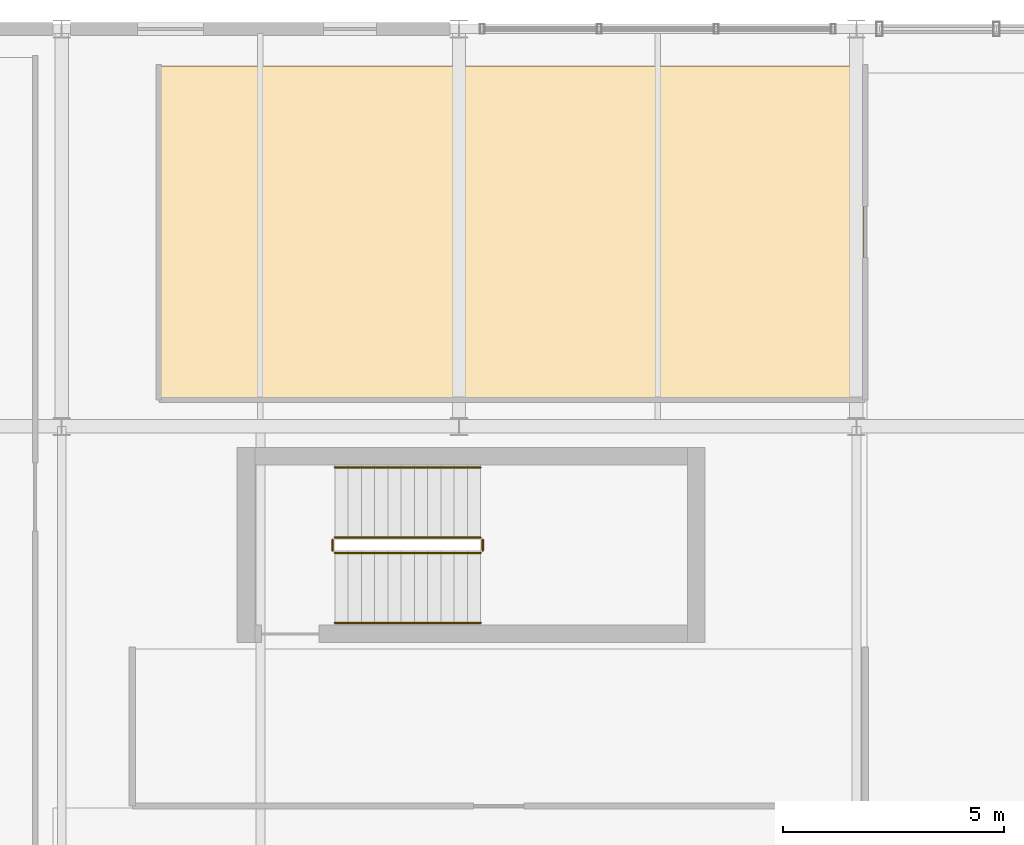
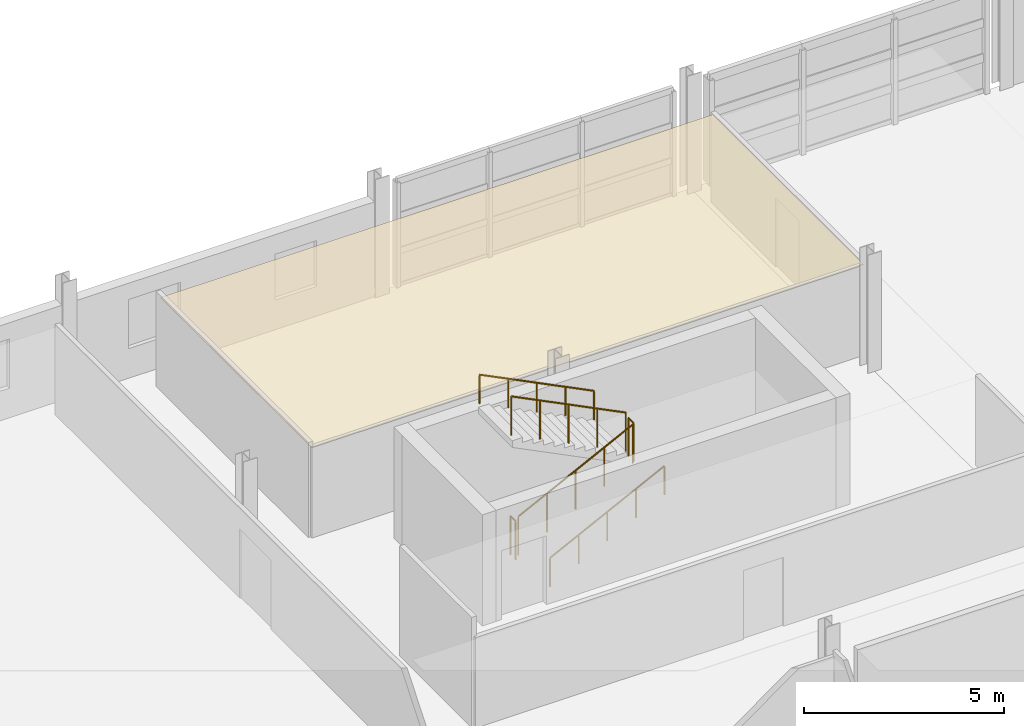
# One storey, part 114 of 116: 6 railings, 1 covering.
"""IFC4 building model written with IfcOpenShell, lengths in metres."""

from ifc_helpers import new_model, si_unit, direction, frame, origin, origin_2d, place, context, subcontext, project, spatial, polyline, circle, outline, extrude, material, layer, layer_set, type_object, element, save


model = new_model("IFC4")

# Units and contexts
model_context = context("Model", 3, precision=1e-05, world=origin(), true_north=direction((0.0, 1.0)))
body_context = subcontext(model_context, "Body", "Model", "MODEL_VIEW")
ifc_project = project(units=[si_unit("LENGTHUNIT", "METRE"), si_unit("AREAUNIT", "SQUARE_METRE"), si_unit("VOLUMEUNIT", "CUBIC_METRE"), si_unit("PLANEANGLEUNIT", "RADIAN"), si_unit("MASSUNIT", "GRAM", prefix="KILO")], contexts=[model_context])

# Site, building, storey
site_placement = place(None, origin())
site = spatial("IfcSite", under=ifc_project, at=site_placement, CompositionType="ELEMENT")
building_placement = place(site_placement, origin())
building = spatial("IfcBuilding", under=site, at=building_placement, Name="Chuanluo Vaults Station", CompositionType="ELEMENT")
storey_placement = place(building_placement, frame((0.0, 0.0, 10.800048828125)))
storey = spatial("IfcBuildingStorey", under=building, at=storey_placement, Name="L02", CompositionType="ELEMENT", Elevation=10.800048828125)

# Covering
ifc_material_1 = material(Name="Acoustic mineral-fibre tile")
ifc_layer = layer(ifc_material_1, 0.02490234375)
ifc_layer_set = layer_set([ifc_layer], Name="Acoustic mineral-fibre tile")
covering_type = type_object("IfcCoveringType", Name="COV-CEIL-TILE", PredefinedType="CEILING", material=ifc_layer_set)
covering_placement = place(storey_placement, frame((0.0, 0.0, 2.675048828125)))
element("IfcCovering", 1, at=covering_placement, inside=storey, type_object=covering_type, Name="L02-19 suspended acoustic ceiling", PredefinedType="CEILING", context=body_context, shape_type="SweptSolid", body=[
    extrude(outline(polyline([(147.239990234375, 117.639892578125), (163.159912109375, 117.639892578125), (163.159912109375, 125.159912109375), (147.239990234375, 125.159912109375), (147.239990234375, 117.639892578125)])), origin(), (0.0, 0.0, 1.0), 0.02490234375),
])

# Railings
ifc_material_2 = material(Name="Tempered laminated balustrade glass", Category="glass")
railing_type_1 = type_object("IfcRailingType", Name="RLG-GUARD-1200", PredefinedType="BALUSTRADE", material=ifc_material_2)
railing_1_placement = place(storey_placement, frame((151.1875, 114.135009765625, 0.14990234375)))
element("IfcRailing", 2, at=railing_1_placement, inside=storey, type_object=railing_type_1, Name="L02 ST-03 stair guard 1", PredefinedType="BALUSTRADE", context=body_context, shape_type="SweptSolid", body=[
    extrude(circle(Radius=0.02392578125, at=origin_2d()), frame((0.0, 0.0, 1.17578125), z_axis=(0.894413956696, 0.0, 0.447240063129), x_axis=(0.0, 1.0, 0.0)), (0.0, 0.0, 1.0), 3.689697265625),
    extrude(circle(Radius=0.02099609375, at=origin_2d()), origin(), (0.0, 0.0, 1.0), 1.15185546875),
    extrude(circle(Radius=0.02099609375, at=origin_2d()), frame((0.824951171875, 0.0, 0.41259765625)), (0.0, 0.0, 1.0), 1.15185546875),
    extrude(circle(Radius=0.02099609375, at=origin_2d()), frame((1.64990234375, 0.0, 0.8251953125)), (0.0, 0.0, 1.0), 1.15185546875),
    extrude(circle(Radius=0.02099609375, at=origin_2d()), frame((2.47509765625, 0.0, 1.237548828125)), (0.0, 0.0, 1.0), 1.15185546875),
    extrude(circle(Radius=0.02099609375, at=origin_2d()), frame((3.300048828125, 0.0, 1.650146484375)), (0.0, 0.0, 1.0), 1.15185546875),
])
railing_2_placement = place(storey_placement, frame((154.53759765625, 114.18505859375, 1.800048828125)))
element("IfcRailing", 3, at=railing_2_placement, inside=storey, type_object=railing_type_1, Name="L02 ST-03 stair guard 2", PredefinedType="BALUSTRADE", context=body_context, shape_type="SweptSolid", body=[
    extrude(circle(Radius=0.02392578125, at=origin_2d()), frame((0.0, 0.0, 1.17578125), z_axis=(0.0, 1.0, 0.0), x_axis=(-1.0, 0.0, 0.0)), (0.0, 0.0, 1.0), 0.25),
    extrude(circle(Radius=0.02099609375, at=origin_2d()), origin(), (0.0, 0.0, 1.0), 1.15185546875),
    extrude(circle(Radius=0.02099609375, at=origin_2d()), frame((0.0, 0.25, 0.0)), (0.0, 0.0, 1.0), 1.15185546875),
])
railing_3_placement = place(storey_placement, frame((154.487548828125, 114.485107421875, 1.949951171875)))
element("IfcRailing", 4, at=railing_3_placement, inside=storey, type_object=railing_type_1, Name="L02 ST-03 stair guard 3", PredefinedType="BALUSTRADE", context=body_context, shape_type="SweptSolid", body=[
    extrude(circle(Radius=0.02392578125, at=origin_2d()), frame((0.0, 0.0, 1.17578125), z_axis=(-0.894440424912, 0.0, 0.447187126696), x_axis=(0.0, -1.0, 0.0)), (0.0, 0.0, 1.0), 3.689453125),
    extrude(circle(Radius=0.02099609375, at=origin_2d()), origin(), (0.0, 0.0, 1.0), 1.15185546875),
    extrude(circle(Radius=0.02099609375, at=origin_2d()), frame((-0.824951171875, 0.0, 0.41259765625)), (0.0, 0.0, 1.0), 1.15185546875),
    extrude(circle(Radius=0.02099609375, at=origin_2d()), frame((-1.64990234375, 0.0, 0.824951171875)), (0.0, 0.0, 1.0), 1.15185546875),
    extrude(circle(Radius=0.02099609375, at=origin_2d()), frame((-2.47509765625, 0.0, 1.2373046875)), (0.0, 0.0, 1.0), 1.15185546875),
    extrude(circle(Radius=0.02099609375, at=origin_2d()), frame((-3.300048828125, 0.0, 1.64990234375)), (0.0, 0.0, 1.0), 1.15185546875),
])
railing_4_placement = place(storey_placement, frame((151.137451171875, 114.18505859375, 0.0)))
element("IfcRailing", 5, at=railing_4_placement, inside=storey, type_object=railing_type_1, Name="L02 ST-03 stair guard 4", PredefinedType="BALUSTRADE", context=body_context, shape_type="SweptSolid", body=[
    extrude(circle(Radius=0.02392578125, at=origin_2d()), frame((0.0, 0.0, 1.17578125), z_axis=(0.0, 1.0, 0.0), x_axis=(-1.0, 0.0, 0.0)), (0.0, 0.0, 1.0), 0.25),
    extrude(circle(Radius=0.02099609375, at=origin_2d()), origin(), (0.0, 0.0, 1.0), 1.15185546875),
    extrude(circle(Radius=0.02099609375, at=origin_2d()), frame((0.0, 0.25, 0.0)), (0.0, 0.0, 1.0), 1.15185546875),
])
ifc_material_3 = material(Name="Brushed stainless steel 304", Category="steel")
railing_type_2 = type_object("IfcRailingType", Name="RLG-HAND-900", PredefinedType="HANDRAIL", material=ifc_material_3)
railing_5_placement = place(storey_placement, frame((151.1875, 112.550048828125, 0.14990234375)))
element("IfcRailing", 6, at=railing_5_placement, inside=storey, type_object=railing_type_2, Name="L02 ST-03 stair handrail 1", PredefinedType="HANDRAIL", context=body_context, shape_type="SweptSolid", body=[
    extrude(circle(Radius=0.02392578125, at=origin_2d()), frame((0.0, 0.0, 0.8759765625), z_axis=(0.894413956696, 0.0, 0.447240063129), x_axis=(0.0, 1.0, 0.0)), (0.0, 0.0, 1.0), 3.689697265625),
    extrude(circle(Radius=0.02099609375, at=origin_2d()), origin(), (0.0, 0.0, 1.0), 0.851806640625),
    extrude(circle(Radius=0.02099609375, at=origin_2d()), frame((0.824951171875, 0.0, 0.41259765625)), (0.0, 0.0, 1.0), 0.851806640625),
    extrude(circle(Radius=0.02099609375, at=origin_2d()), frame((1.64990234375, 0.0, 0.8251953125)), (0.0, 0.0, 1.0), 0.851806640625),
    extrude(circle(Radius=0.02099609375, at=origin_2d()), frame((2.47509765625, 0.0, 1.237548828125)), (0.0, 0.0, 1.0), 0.851806640625),
    extrude(circle(Radius=0.02099609375, at=origin_2d()), frame((3.300048828125, 0.0, 1.650146484375)), (0.0, 0.0, 1.0), 0.851806640625),
])
railing_6_placement = place(storey_placement, frame((154.487548828125, 116.070068359375, 1.949951171875)))
element("IfcRailing", 7, at=railing_6_placement, inside=storey, type_object=railing_type_2, Name="L02 ST-03 stair handrail 2", PredefinedType="HANDRAIL", context=body_context, shape_type="SweptSolid", body=[
    extrude(circle(Radius=0.02392578125, at=origin_2d()), frame((0.0, 0.0, 0.8759765625), z_axis=(-0.894440424912, 0.0, 0.447187126696), x_axis=(0.0, -1.0, 0.0)), (0.0, 0.0, 1.0), 3.689453125),
    extrude(circle(Radius=0.02099609375, at=origin_2d()), origin(), (0.0, 0.0, 1.0), 0.851806640625),
    extrude(circle(Radius=0.02099609375, at=origin_2d()), frame((-0.824951171875, 0.0, 0.41259765625)), (0.0, 0.0, 1.0), 0.851806640625),
    extrude(circle(Radius=0.02099609375, at=origin_2d()), frame((-1.64990234375, 0.0, 0.824951171875)), (0.0, 0.0, 1.0), 0.851806640625),
    extrude(circle(Radius=0.02099609375, at=origin_2d()), frame((-2.47509765625, 0.0, 1.2373046875)), (0.0, 0.0, 1.0), 0.851806640625),
    extrude(circle(Radius=0.02099609375, at=origin_2d()), frame((-3.300048828125, 0.0, 1.64990234375)), (0.0, 0.0, 1.0), 0.851806640625),
])

save(model, "model.ifc")
